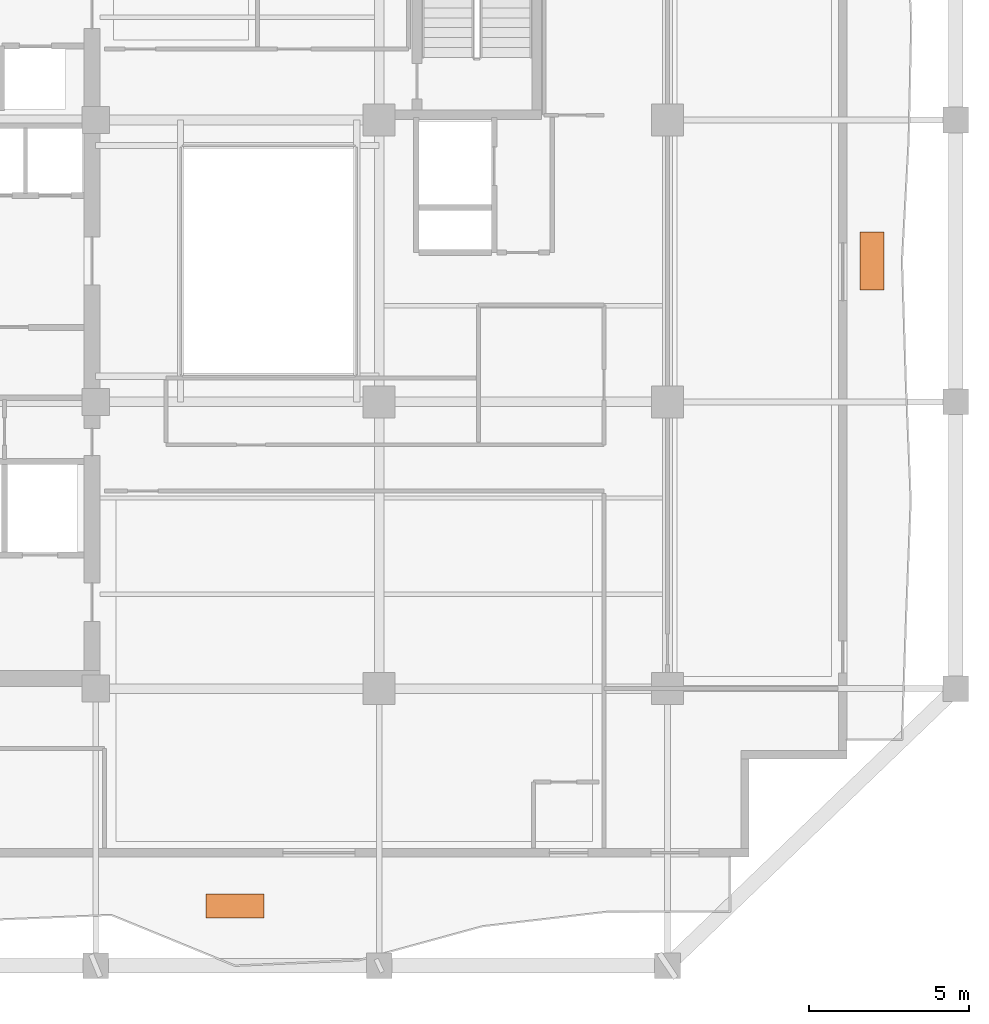
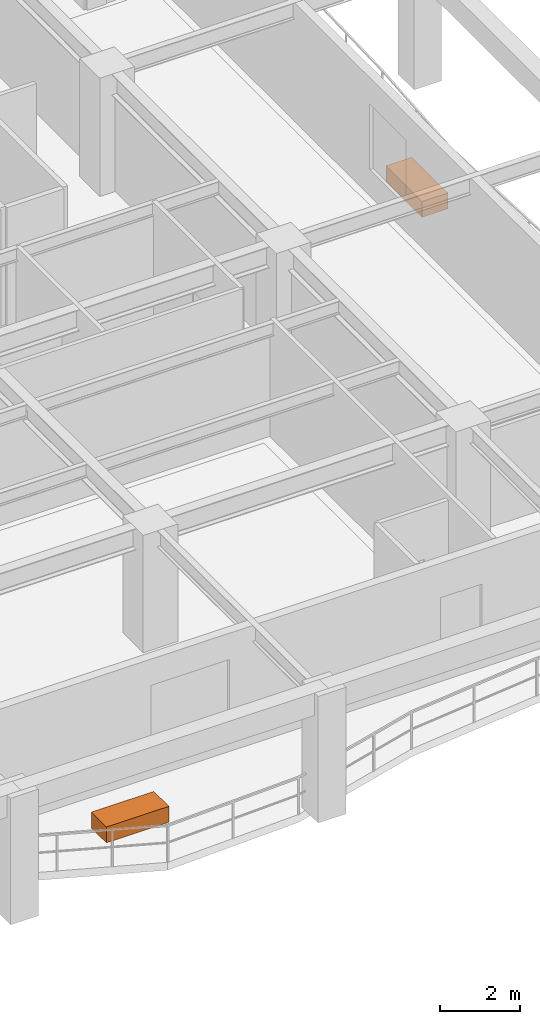
# One storey, part 10 of 10: 2 proxies.
"""IFC4 building model written with IfcOpenShell, lengths in metres."""

from ifc_helpers import new_model, si_unit, direction, frame, origin, origin_2d, place, context, subcontext, project, spatial, rectangle, extrude, material, type_object, element, save


model = new_model("IFC4")

# Units and contexts
model_context = context("Model", 3, precision=1e-05, world=origin(), true_north=direction((0.0, 1.0)))
body_context = subcontext(model_context, "Body", "Model", "MODEL_VIEW")
ifc_project = project(units=[si_unit("LENGTHUNIT", "METRE"), si_unit("AREAUNIT", "SQUARE_METRE"), si_unit("VOLUMEUNIT", "CUBIC_METRE"), si_unit("PLANEANGLEUNIT", "RADIAN"), si_unit("MASSUNIT", "GRAM", prefix="KILO")], contexts=[model_context])

# Site, building, storey
site_placement = place(None, origin())
site = spatial("IfcSite", under=ifc_project, at=site_placement, CompositionType="ELEMENT")
building_placement = place(site_placement, origin())
building = spatial("IfcBuilding", under=site, at=building_placement, Name="Kundavana Baori Tower", CompositionType="ELEMENT")
storey_placement = place(building_placement, frame((0.0, 0.0, 107.85009765625)))
storey = spatial("IfcBuildingStorey", under=building, at=storey_placement, Name="L25", CompositionType="ELEMENT", Elevation=107.85009765625)

# Proxies
ifc_material = material(Name="Red-Buff Dholpur Sandstone Cladding on Concrete C40/50", Category="masonry")
building_element_proxy_type = type_object("IfcBuildingElementProxyType", Name="PRX-PLANTER-1800", PredefinedType="USERDEFINED", material=ifc_material)
for number, where, z_axis, x_axis, name in (
    (1, (29.300048828125, 8.469970703125, 0.0), (0.0, 0.0, 1.0), (1.0, 0.0, 0.0), "L25 Dholpur Stone Structural Tree Planter S"),
    (2, (49.177001953125, 28.60009765625, 0.0), (0.0, 0.0, 1.0), (0.0, 1.0, 0.0), "L25 Dholpur Stone Structural Tree Planter E"),
):
    element("IfcBuildingElementProxy", number, at=place(storey_placement, frame(where, z_axis=z_axis, x_axis=x_axis)), inside=storey, type_object=building_element_proxy_type, Name=name, ObjectType="PLANTER", PredefinedType="USERDEFINED", context=body_context, shape_type="SweptSolid", body=[
        extrude(rectangle(XDim=1.800048828125, YDim=0.75, at=origin_2d()), origin(), (0.0, 0.0, 1.0), 0.47998046875),
    ])

save(model, "model.ifc")
